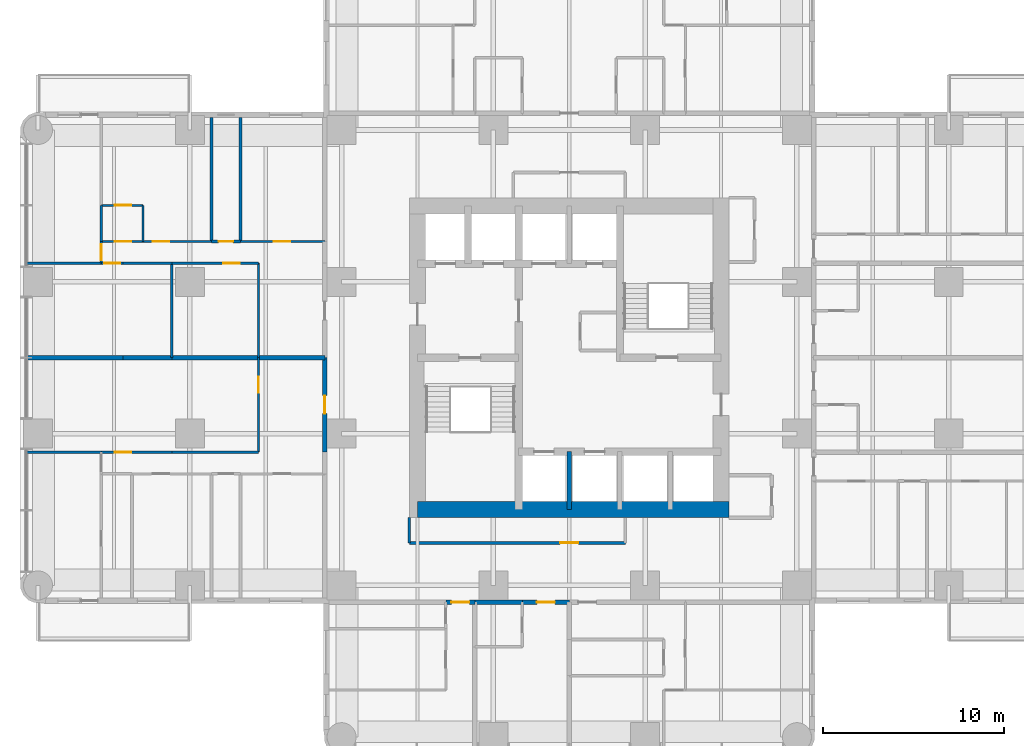
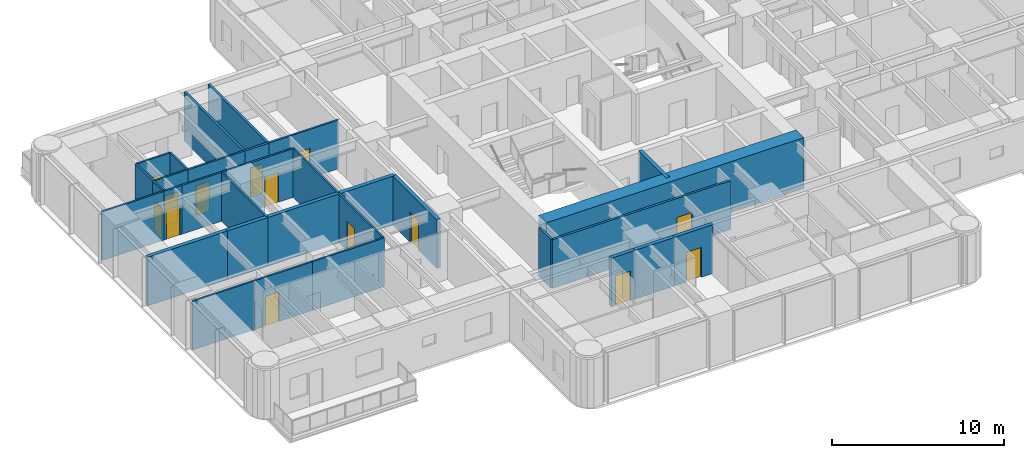
# One storey, part 7 of 14: 32 walls, 14 doors, 14 openings.
"""IFC4 building model written with IfcOpenShell, lengths in metres."""

from ifc_helpers import new_model, si_unit, direction, frame, frame_2d, origin, place, context, subcontext, project, spatial, rectangle, extrude, material, layer, layer_set, type_object, element, fill, save


model = new_model("IFC4")

# Units and contexts
model_context = context("Model", 3, precision=1e-05, world=origin(), true_north=direction((0.0, 1.0)))
body_context = subcontext(model_context, "Body", "Model", "MODEL_VIEW")
ifc_project = project(units=[si_unit("LENGTHUNIT", "METRE"), si_unit("AREAUNIT", "SQUARE_METRE"), si_unit("VOLUMEUNIT", "CUBIC_METRE"), si_unit("PLANEANGLEUNIT", "RADIAN"), si_unit("MASSUNIT", "GRAM", prefix="KILO")], contexts=[model_context])

# Site, building, storey
site_placement = place(None, origin())
site = spatial("IfcSite", under=ifc_project, at=site_placement, CompositionType="ELEMENT")
building_placement = place(site_placement, origin())
building = spatial("IfcBuilding", under=site, at=building_placement, Name="Torre Alcanfor", CompositionType="ELEMENT")
storey_placement = place(building_placement, frame((0.0, 0.0, 166.5)))
storey = spatial("IfcBuildingStorey", under=building, at=storey_placement, Name="L43", CompositionType="ELEMENT", Elevation=166.5)

# Wall, opening, door
ifc_material_1 = material(Name="Concrete block masonry, hollow blocks NMX-C-404 9 MPa", Category="masonry")
ifc_layer_1 = layer(ifc_material_1, 0.25)
ifc_layer_set_1 = layer_set([ifc_layer_1], Name="Apartment entrance wall 250 EI 60")
wall_type_1 = type_object("IfcWallType", Name="Apartment entrance wall 250 EI 60", PredefinedType="PARTITIONING", material=ifc_layer_set_1)
wall_1_placement = place(storey_placement, frame((29.39990234375, 15.875, 0.0), z_axis=(0.0, 0.0, 1.0), x_axis=(-1.0, 0.0, 0.0)))
wall_1 = element("IfcWall", 1, at=wall_1_placement, inside=storey, type_object=wall_type_1, Name="Partition L43-CORR / L43-S2A-STUDIO", PredefinedType="PARTITIONING", context=body_context, shape_type="SweptSolid", body=[
    extrude(rectangle(XDim=2.599853515625, YDim=0.25, at=frame_2d((1.2998046875, 0.0))), origin(), (0.0, 0.0, 1.0), 3.449951171875),
])
opening_1_placement = place(wall_1_placement, frame((0.800048828125, 0.0, 0.0)))
opening_1 = element("IfcOpeningElement", 2, at=opening_1_placement, cuts=wall_1, Name="Opening D-A1", PredefinedType="OPENING", context=body_context, shape_type="SweptSolid", body=[
    extrude(rectangle(XDim=1.0, YDim=2.10009765625, at=frame_2d((0.5, 1.050048828125))), frame((0.0, 0.135009765625, 0.0), z_axis=(0.0, -1.0, 0.0), x_axis=(1.0, 0.0, 0.0)), (0.0, 0.0, 1.0), 0.27001953125),
])
ifc_material_2 = material(Name="Galvanised steel sheet ASTM A653", Category="steel")
door_type_1 = type_object("IfcDoorType", Name="Apartment entrance door FD60 1000x2100", OperationType="SINGLE_SWING_LEFT", PredefinedType="DOOR", material=ifc_material_2)
door_1_placement = place(opening_1_placement, origin())
door_1 = element("IfcDoor", 3, at=door_1_placement, inside=storey, type_object=door_type_1, Name="Apartment entrance L43-S2A", OperationType="SINGLE_SWING_LEFT", OverallHeight=2.10009765625, OverallWidth=1.0, PredefinedType="DOOR", context=body_context, shape_type="SweptSolid", body=[
    extrude(rectangle(XDim=1.0, YDim=2.10009765625, at=frame_2d((0.5, 1.050048828125))), frame((0.0, 0.02490234375, 0.0), z_axis=(0.0, -1.0, 0.0), x_axis=(1.0, 0.0, 0.0)), (0.0, 0.0, 1.0), 0.050048828125),
])
fill(opening_1, door_1)

# Wall
wall_2_placement = place(storey_placement, frame((26.800048828125, 15.875, 0.0), z_axis=(0.0, 0.0, 1.0), x_axis=(-1.0, 0.0, 0.0)))
element("IfcWall", 4, at=wall_2_placement, inside=storey, type_object=wall_type_1, Name="Partition L43-CORR / L43-S2A-BATH", PredefinedType="PARTITIONING", context=body_context, shape_type="SweptSolid", body=[
    extrude(rectangle(XDim=2.629150390625, YDim=0.25, at=frame_2d((1.314453125, 0.0))), origin(), (0.0, 0.0, 1.0), 3.449951171875),
])

# Wall, opening, door
wall_3_placement = place(storey_placement, frame((24.1708984375, 15.875, 0.0), z_axis=(0.0, 0.0, 1.0), x_axis=(-1.0, 0.0, 0.0)))
wall_3 = element("IfcWall", 5, at=wall_3_placement, inside=storey, type_object=wall_type_1, Name="Partition L43-CORR / L43-S2B-LIVING", PredefinedType="PARTITIONING", context=body_context, shape_type="SweptSolid", body=[
    extrude(rectangle(XDim=1.599853515625, YDim=0.25, at=frame_2d((0.7998046875, 0.0))), origin(), (0.0, 0.0, 1.0), 3.449951171875),
])
opening_2_placement = place(wall_3_placement, frame((0.300048828125, 0.0, 0.0)))
opening_2 = element("IfcOpeningElement", 6, at=opening_2_placement, cuts=wall_3, Name="Opening D-A1", PredefinedType="OPENING", context=body_context, shape_type="SweptSolid", body=[
    extrude(rectangle(XDim=1.0, YDim=2.10009765625, at=frame_2d((0.5, 1.050048828125))), frame((0.0, 0.135009765625, 0.0), z_axis=(0.0, -1.0, 0.0), x_axis=(1.0, 0.0, 0.0)), (0.0, 0.0, 1.0), 0.27001953125),
])
door_2_placement = place(opening_2_placement, origin())
door_2 = element("IfcDoor", 7, at=door_2_placement, inside=storey, type_object=door_type_1, Name="Apartment entrance L43-S2B", OperationType="SINGLE_SWING_LEFT", OverallHeight=2.10009765625, OverallWidth=1.0, PredefinedType="DOOR", context=body_context, shape_type="SweptSolid", body=[
    extrude(rectangle(XDim=1.0, YDim=2.10009765625, at=frame_2d((0.5, 1.050048828125))), frame((0.0, 0.02490234375, 0.0), z_axis=(0.0, -1.0, 0.0), x_axis=(1.0, 0.0, 0.0)), (0.0, 0.0, 1.0), 0.050048828125),
])
fill(opening_2, door_2)

wall_4_placement = place(storey_placement, frame((15.875, 24.1708984375, 0.0), z_axis=(0.0, 0.0, 1.0), x_axis=(0.0, 1.0, 0.0)))
wall_4 = element("IfcWall", 8, at=wall_4_placement, inside=storey, type_object=wall_type_1, Name="Partition L43-CORR / L43-W1-ZAG", PredefinedType="PARTITIONING", context=body_context, shape_type="SweptSolid", body=[
    extrude(rectangle(XDim=5.22900390625, YDim=0.25, at=frame_2d((2.614501953125, 0.0))), origin(), (0.0, 0.0, 1.0), 3.449951171875),
])
opening_3_placement = place(wall_4_placement, frame((2.12890625, 0.0, 0.0)))
opening_3 = element("IfcOpeningElement", 9, at=opening_3_placement, cuts=wall_4, Name="Opening D-A1", PredefinedType="OPENING", context=body_context, shape_type="SweptSolid", body=[
    extrude(rectangle(XDim=1.0, YDim=2.10009765625, at=frame_2d((0.5, 1.050048828125))), frame((0.0, 0.135009765625, 0.0), z_axis=(0.0, -1.0, 0.0), x_axis=(1.0, 0.0, 0.0)), (0.0, 0.0, 1.0), 0.27001953125),
])
door_3_placement = place(opening_3_placement, origin())
door_3 = element("IfcDoor", 10, at=door_3_placement, inside=storey, type_object=door_type_1, Name="Apartment entrance L43-W1", OperationType="SINGLE_SWING_RIGHT", OverallHeight=2.10009765625, OverallWidth=1.0, PredefinedType="DOOR", context=body_context, shape_type="SweptSolid", body=[
    extrude(rectangle(XDim=1.0, YDim=2.10009765625, at=frame_2d((0.5, 1.050048828125))), frame((0.0, 0.02490234375, 0.0), z_axis=(0.0, -1.0, 0.0), x_axis=(1.0, 0.0, 0.0)), (0.0, 0.0, 1.0), 0.050048828125),
])
fill(opening_3, door_3)

ifc_material_3 = material(Name="Gypsum board on steel studs", Category="steel")
ifc_layer_2 = layer(ifc_material_3, 0.1201171875)
ifc_layer_set_2 = layer_set([ifc_layer_2], Name="Apartment partition 120")
wall_type_2 = type_object("IfcWallType", Name="Apartment partition 120", PredefinedType="PARTITIONING", material=ifc_layer_set_2)
wall_5_placement = place(storey_placement, frame((12.199951171875, 29.39990234375, 0.0), z_axis=(0.0, 0.0, 1.0), x_axis=(0.0, -1.0, 0.0)))
wall_5 = element("IfcWall", 11, at=wall_5_placement, inside=storey, type_object=wall_type_2, Name="Partition L43-W1-ZAG / L43-W1-KITCHEN", PredefinedType="PARTITIONING", context=body_context, shape_type="SweptSolid", body=[
    extrude(rectangle(XDim=5.22900390625, YDim=0.1201171875, at=frame_2d((2.614501953125, 0.0))), origin(), (0.0, 0.0, 1.0), 3.449951171875),
])
opening_4_placement = place(wall_5_placement, frame((1.050048828125, 0.0, 0.0)))
opening_4 = element("IfcOpeningElement", 12, at=opening_4_placement, cuts=wall_5, Name="Opening D-R1", PredefinedType="OPENING", context=body_context, shape_type="SweptSolid", body=[
    extrude(rectangle(XDim=0.89990234375, YDim=2.10009765625, at=frame_2d((0.449951171875, 1.050048828125))), frame((0.0, 0.070068359375, 0.0), z_axis=(0.0, -1.0, 0.0), x_axis=(1.0, 0.0, 0.0)), (0.0, 0.0, 1.0), 0.14013671875),
])
ifc_material_4 = material(Name="Timber", Category="wood")
door_type_2 = type_object("IfcDoorType", Name="Internal door 900x2100", OperationType="SINGLE_SWING_LEFT", PredefinedType="DOOR", material=ifc_material_4)
door_4_placement = place(opening_4_placement, frame((0.89990234375, 0.0, 0.0), z_axis=(0.0, 0.0, 1.0), x_axis=(-1.0, 0.0, 0.0)))
door_4 = element("IfcDoor", 13, at=door_4_placement, inside=storey, type_object=door_type_2, Name="Door L43-W1 kitchen", OperationType="SINGLE_SWING_RIGHT", OverallHeight=2.10009765625, OverallWidth=0.89990234375, PredefinedType="DOOR", context=body_context, shape_type="SweptSolid", body=[
    extrude(rectangle(XDim=0.89990234375, YDim=2.10009765625, at=frame_2d((0.449951171875, 1.050048828125))), frame((0.0, 0.025146484375, 0.0), z_axis=(0.0, -1.0, 0.0), x_axis=(1.0, 0.0, 0.0)), (0.0, 0.0, 1.0), 0.050048828125),
])
fill(opening_4, door_4)

# Wall
wall_6_placement = place(storey_placement, frame((7.39990234375, 24.1708984375, 0.0), z_axis=(0.0, 0.0, 1.0), x_axis=(1.0, 0.0, 0.0)))
element("IfcWall", 14, at=wall_6_placement, inside=storey, type_object=wall_type_2, Name="Partition L43-W1-KITCHEN / L43-W1-HALL", PredefinedType="PARTITIONING", context=body_context, shape_type="SweptSolid", body=[
    extrude(rectangle(XDim=4.800048828125, YDim=0.1201171875, at=frame_2d((2.39990234375, 0.0))), origin(), (0.0, 0.0, 1.0), 3.449951171875),
])

# Wall, opening, door
wall_7_placement = place(storey_placement, frame((3.5, 24.1708984375, 0.0), z_axis=(0.0, 0.0, 1.0), x_axis=(1.0, 0.0, 0.0)))
wall_7 = element("IfcWall", 15, at=wall_7_placement, inside=storey, type_object=wall_type_2, Name="Partition L43-W1-LIVING / L43-W1-HALL", PredefinedType="PARTITIONING", context=body_context, shape_type="SweptSolid", body=[
    extrude(rectangle(XDim=3.89990234375, YDim=0.1201171875, at=frame_2d((1.949951171875, 0.0))), origin(), (0.0, 0.0, 1.0), 3.449951171875),
])
opening_5_placement = place(wall_7_placement, frame((0.75, 0.0, 0.0)))
opening_5 = element("IfcOpeningElement", 16, at=opening_5_placement, cuts=wall_7, Name="Opening D-R1", PredefinedType="OPENING", context=body_context, shape_type="SweptSolid", body=[
    extrude(rectangle(XDim=0.89990234375, YDim=2.10009765625, at=frame_2d((0.449951171875, 1.050048828125))), frame((0.0, 0.070068359375, 0.0), z_axis=(0.0, -1.0, 0.0), x_axis=(1.0, 0.0, 0.0)), (0.0, 0.0, 1.0), 0.14013671875),
])
door_5_placement = place(opening_5_placement, origin())
door_5 = element("IfcDoor", 17, at=door_5_placement, inside=storey, type_object=door_type_2, Name="Door L43-W1 living", OperationType="SINGLE_SWING_RIGHT", OverallHeight=2.10009765625, OverallWidth=0.89990234375, PredefinedType="DOOR", context=body_context, shape_type="SweptSolid", body=[
    extrude(rectangle(XDim=0.89990234375, YDim=2.10009765625, at=frame_2d((0.449951171875, 1.050048828125))), frame((0.0, 0.02490234375, 0.0), z_axis=(0.0, -1.0, 0.0), x_axis=(1.0, 0.0, 0.0)), (0.0, 0.0, 1.0), 0.050048828125),
])
fill(opening_5, door_5)

# Walls
wall_8_placement = place(storey_placement, frame((-0.64990234375, 24.1708984375, 0.0), z_axis=(0.0, 0.0, 1.0), x_axis=(1.0, 0.0, 0.0)))
element("IfcWall", 18, at=wall_8_placement, inside=storey, type_object=wall_type_2, Name="Partition L43-W1-LIVING / L43-W1-MASTER", PredefinedType="PARTITIONING", context=body_context, shape_type="SweptSolid", body=[
    extrude(rectangle(XDim=4.14990234375, YDim=0.1201171875, at=frame_2d((2.074951171875, 0.0))), origin(), (0.0, 0.0, 1.0), 3.449951171875),
])
for number, where, z_axis, x_axis, name in (
    (19, (12.199951171875, 29.39990234375, 0.0), (0.0, 0.0, 1.0), (0.0, 1.0, 0.0), "Partition L43-W2-ZAG / L43-W2-FAMILY"),
    (20, (7.39990234375, 29.39990234375, 0.0), (0.0, 0.0, 1.0), (0.0, 1.0, 0.0), "Partition L43-W2-FAMILY / L43-W2-KITCHEN"),
):
    element("IfcWall", number, at=place(storey_placement, frame(where, z_axis=z_axis, x_axis=x_axis)), inside=storey, type_object=wall_type_2, Name=name, PredefinedType="PARTITIONING", context=body_context, shape_type="SweptSolid", body=[
        extrude(rectangle(XDim=5.22900390625, YDim=0.1201171875, at=frame_2d((2.614501953125, 0.0))), origin(), (0.0, 0.0, 1.0), 3.449951171875),
    ])

# Wall, opening, door
wall_9_placement = place(storey_placement, frame((7.39990234375, 34.62890625, 0.0), z_axis=(0.0, 0.0, 1.0), x_axis=(1.0, 0.0, 0.0)))
wall_9 = element("IfcWall", 21, at=wall_9_placement, inside=storey, type_object=wall_type_2, Name="Partition L43-W2-FAMILY / L43-W2-HALL", PredefinedType="PARTITIONING", context=body_context, shape_type="SweptSolid", body=[
    extrude(rectangle(XDim=4.800048828125, YDim=0.1201171875, at=frame_2d((2.39990234375, 0.0))), origin(), (0.0, 0.0, 1.0), 3.449951171875),
])
opening_6_placement = place(wall_9_placement, frame((2.85009765625, 0.0, 0.0)))
opening_6 = element("IfcOpeningElement", 22, at=opening_6_placement, cuts=wall_9, Name="Opening D-R1", PredefinedType="OPENING", context=body_context, shape_type="SweptSolid", body=[
    extrude(rectangle(XDim=0.89990234375, YDim=2.10009765625, at=frame_2d((0.449951171875, 1.050048828125))), frame((0.0, 0.070068359375, 0.0), z_axis=(0.0, -1.0, 0.0), x_axis=(1.0, 0.0, 0.0)), (0.0, 0.0, 1.0), 0.14013671875),
])
door_6_placement = place(opening_6_placement, frame((0.89990234375, 0.0, 0.0), z_axis=(0.0, 0.0, 1.0), x_axis=(-1.0, 0.0, 0.0)))
door_6 = element("IfcDoor", 23, at=door_6_placement, inside=storey, type_object=door_type_2, Name="Door L43-W2 family", OperationType="SINGLE_SWING_LEFT", OverallHeight=2.10009765625, OverallWidth=0.89990234375, PredefinedType="DOOR", context=body_context, shape_type="SweptSolid", body=[
    extrude(rectangle(XDim=0.89990234375, YDim=2.10009765625, at=frame_2d((0.449951171875, 1.050048828125))), frame((0.0, 0.025146484375, 0.0), z_axis=(0.0, -1.0, 0.0), x_axis=(1.0, 0.0, 0.0)), (0.0, 0.0, 1.0), 0.050048828125),
])
fill(opening_6, door_6)

# Wall
wall_10_placement = place(storey_placement, frame((4.699951171875, 34.62890625, 0.0), z_axis=(0.0, 0.0, 1.0), x_axis=(1.0, 0.0, 0.0)))
element("IfcWall", 24, at=wall_10_placement, inside=storey, type_object=wall_type_2, Name="Partition L43-W2-KITCHEN / L43-W2-HALL", PredefinedType="PARTITIONING", context=body_context, shape_type="SweptSolid", body=[
    extrude(rectangle(XDim=2.699951171875, YDim=0.1201171875, at=frame_2d((1.35009765625, 0.0))), origin(), (0.0, 0.0, 1.0), 3.449951171875),
])

# Wall, opening, door
wall_11_placement = place(storey_placement, frame((3.5, 34.62890625, 0.0), z_axis=(0.0, 0.0, 1.0), x_axis=(1.0, 0.0, 0.0)))
wall_11 = element("IfcWall", 25, at=wall_11_placement, inside=storey, type_object=wall_type_2, Name="Partition L43-W2-LIVING / L43-W2-HALL", PredefinedType="PARTITIONING", context=body_context, shape_type="SweptSolid", body=[
    extrude(rectangle(XDim=1.199951171875, YDim=0.1201171875, at=frame_2d((0.60009765625, 0.0))), origin(), (0.0, 0.0, 1.0), 3.449951171875),
])
opening_7_placement = place(wall_11_placement, frame((0.14990234375, 0.0, 0.0)))
opening_7 = element("IfcOpeningElement", 26, at=opening_7_placement, cuts=wall_11, Name="Opening D-R1", PredefinedType="OPENING", context=body_context, shape_type="SweptSolid", body=[
    extrude(rectangle(XDim=0.89990234375, YDim=2.10009765625, at=frame_2d((0.449951171875, 1.050048828125))), frame((0.0, 0.070068359375, 0.0), z_axis=(0.0, -1.0, 0.0), x_axis=(1.0, 0.0, 0.0)), (0.0, 0.0, 1.0), 0.14013671875),
])
door_7_placement = place(opening_7_placement, frame((0.89990234375, 0.0, 0.0), z_axis=(0.0, 0.0, 1.0), x_axis=(-1.0, 0.0, 0.0)))
door_7 = element("IfcDoor", 27, at=door_7_placement, inside=storey, type_object=door_type_2, Name="Door L43-W2 living", OperationType="SINGLE_SWING_LEFT", OverallHeight=2.10009765625, OverallWidth=0.89990234375, PredefinedType="DOOR", context=body_context, shape_type="SweptSolid", body=[
    extrude(rectangle(XDim=0.89990234375, YDim=2.10009765625, at=frame_2d((0.449951171875, 1.050048828125))), frame((0.0, 0.025146484375, 0.0), z_axis=(0.0, -1.0, 0.0), x_axis=(1.0, 0.0, 0.0)), (0.0, 0.0, 1.0), 0.050048828125),
])
fill(opening_7, door_7)

# Wall
wall_12_placement = place(storey_placement, frame((-0.64990234375, 34.62890625, 0.0), z_axis=(0.0, 0.0, 1.0), x_axis=(1.0, 0.0, 0.0)))
element("IfcWall", 28, at=wall_12_placement, inside=storey, type_object=wall_type_2, Name="Partition L43-W2-LIVING / L43-W2-WGARD", PredefinedType="PARTITIONING", context=body_context, shape_type="SweptSolid", body=[
    extrude(rectangle(XDim=4.14990234375, YDim=0.1201171875, at=frame_2d((2.074951171875, 0.0))), origin(), (0.0, 0.0, 1.0), 3.449951171875),
])

# Wall, opening, door
wall_13_placement = place(storey_placement, frame((11.199951171875, 35.8291015625, 0.0), z_axis=(0.0, 0.0, 1.0), x_axis=(1.0, 0.0, 0.0)))
wall_13 = element("IfcWall", 29, at=wall_13_placement, inside=storey, type_object=wall_type_2, Name="Partition L43-W2-HALL / L43-W2-BED2", PredefinedType="PARTITIONING", context=body_context, shape_type="SweptSolid", body=[
    extrude(rectangle(XDim=4.675048828125, YDim=0.1201171875, at=frame_2d((2.33740234375, 0.0))), origin(), (0.0, 0.0, 1.0), 3.449951171875),
])
opening_8_placement = place(wall_13_placement, frame((1.85009765625, 0.0, 0.0)))
opening_8 = element("IfcOpeningElement", 30, at=opening_8_placement, cuts=wall_13, Name="Opening D-R1", PredefinedType="OPENING", context=body_context, shape_type="SweptSolid", body=[
    extrude(rectangle(XDim=0.89990234375, YDim=2.10009765625, at=frame_2d((0.449951171875, 1.050048828125))), frame((0.0, 0.070068359375, 0.0), z_axis=(0.0, -1.0, 0.0), x_axis=(1.0, 0.0, 0.0)), (0.0, 0.0, 1.0), 0.14013671875),
])
door_8_placement = place(opening_8_placement, origin())
door_8 = element("IfcDoor", 31, at=door_8_placement, inside=storey, type_object=door_type_2, Name="Door L43-W2 bed2", OperationType="SINGLE_SWING_LEFT", OverallHeight=2.10009765625, OverallWidth=0.89990234375, PredefinedType="DOOR", context=body_context, shape_type="SweptSolid", body=[
    extrude(rectangle(XDim=0.89990234375, YDim=2.10009765625, at=frame_2d((0.449951171875, 1.050048828125))), frame((0.0, 0.02490234375, 0.0), z_axis=(0.0, -1.0, 0.0), x_axis=(1.0, 0.0, 0.0)), (0.0, 0.0, 1.0), 0.050048828125),
])
fill(opening_8, door_8)

wall_14_placement = place(storey_placement, frame((5.800048828125, 35.8291015625, 0.0), z_axis=(0.0, 0.0, 1.0), x_axis=(1.0, 0.0, 0.0)))
wall_14 = element("IfcWall", 32, at=wall_14_placement, inside=storey, type_object=wall_type_2, Name="Partition L43-W2-HALL / L43-W2-MASTER", PredefinedType="PARTITIONING", context=body_context, shape_type="SweptSolid", body=[
    extrude(rectangle(XDim=3.800048828125, YDim=0.1201171875, at=frame_2d((1.89990234375, 0.0))), origin(), (0.0, 0.0, 1.0), 3.449951171875),
])
opening_9_placement = place(wall_14_placement, frame((0.550048828125, 0.0, 0.0)))
opening_9 = element("IfcOpeningElement", 33, at=opening_9_placement, cuts=wall_14, Name="Opening D-R1", PredefinedType="OPENING", context=body_context, shape_type="SweptSolid", body=[
    extrude(rectangle(XDim=0.89990234375, YDim=2.10009765625, at=frame_2d((0.449951171875, 1.050048828125))), frame((0.0, 0.070068359375, 0.0), z_axis=(0.0, -1.0, 0.0), x_axis=(1.0, 0.0, 0.0)), (0.0, 0.0, 1.0), 0.14013671875),
])
door_9_placement = place(opening_9_placement, origin())
door_9 = element("IfcDoor", 34, at=door_9_placement, inside=storey, type_object=door_type_2, Name="Door L43-W2 master", OperationType="SINGLE_SWING_LEFT", OverallHeight=2.10009765625, OverallWidth=0.89990234375, PredefinedType="DOOR", context=body_context, shape_type="SweptSolid", body=[
    extrude(rectangle(XDim=0.89990234375, YDim=2.10009765625, at=frame_2d((0.449951171875, 1.050048828125))), frame((0.0, 0.02490234375, 0.0), z_axis=(0.0, -1.0, 0.0), x_axis=(1.0, 0.0, 0.0)), (0.0, 0.0, 1.0), 0.050048828125),
])
fill(opening_9, door_9)

wall_15_placement = place(storey_placement, frame((3.5, 35.8291015625, 0.0), z_axis=(0.0, 0.0, 1.0), x_axis=(1.0, 0.0, 0.0)))
wall_15 = element("IfcWall", 35, at=wall_15_placement, inside=storey, type_object=wall_type_2, Name="Partition L43-W2-HALL / L43-W2-VEST", PredefinedType="PARTITIONING", context=body_context, shape_type="SweptSolid", body=[
    extrude(rectangle(XDim=2.300048828125, YDim=0.1201171875, at=frame_2d((1.14990234375, 0.0))), origin(), (0.0, 0.0, 1.0), 3.449951171875),
])
opening_10_placement = place(wall_15_placement, frame((0.75, 0.0, 0.0)))
opening_10 = element("IfcOpeningElement", 36, at=opening_10_placement, cuts=wall_15, Name="Opening D-R1", PredefinedType="OPENING", context=body_context, shape_type="SweptSolid", body=[
    extrude(rectangle(XDim=0.89990234375, YDim=2.10009765625, at=frame_2d((0.449951171875, 1.050048828125))), frame((0.0, 0.070068359375, 0.0), z_axis=(0.0, -1.0, 0.0), x_axis=(1.0, 0.0, 0.0)), (0.0, 0.0, 1.0), 0.14013671875),
])
door_10_placement = place(opening_10_placement, origin())
door_10 = element("IfcDoor", 37, at=door_10_placement, inside=storey, type_object=door_type_2, Name="Door L43-W2 vest", OperationType="SINGLE_SWING_RIGHT", OverallHeight=2.10009765625, OverallWidth=0.89990234375, PredefinedType="DOOR", context=body_context, shape_type="SweptSolid", body=[
    extrude(rectangle(XDim=0.89990234375, YDim=2.10009765625, at=frame_2d((0.449951171875, 1.050048828125))), frame((0.0, 0.02490234375, 0.0), z_axis=(0.0, -1.0, 0.0), x_axis=(1.0, 0.0, 0.0)), (0.0, 0.0, 1.0), 0.050048828125),
])
fill(opening_10, door_10)

wall_16_placement = place(storey_placement, frame((3.5, 34.62890625, 0.0), z_axis=(0.0, 0.0, 1.0), x_axis=(0.0, 1.0, 0.0)))
wall_16 = element("IfcWall", 38, at=wall_16_placement, inside=storey, type_object=wall_type_2, Name="Partition L43-W2-HALL / L43-W2-WGARD", PredefinedType="PARTITIONING", context=body_context, shape_type="SweptSolid", body=[
    extrude(rectangle(XDim=1.2001953125, YDim=0.1201171875, at=frame_2d((0.60009765625, 0.0))), origin(), (0.0, 0.0, 1.0), 3.449951171875),
])
opening_11_placement = place(wall_16_placement, frame((0.15087890625, 0.0, 0.0)))
opening_11 = element("IfcOpeningElement", 39, at=opening_11_placement, cuts=wall_16, Name="Opening D-R1", PredefinedType="OPENING", context=body_context, shape_type="SweptSolid", body=[
    extrude(rectangle(XDim=0.89990234375, YDim=2.10009765625, at=frame_2d((0.449951171875, 1.050048828125))), frame((0.0, 0.070068359375, 0.0), z_axis=(0.0, -1.0, 0.0), x_axis=(1.0, 0.0, 0.0)), (0.0, 0.0, 1.0), 0.14013671875),
])
door_11_placement = place(opening_11_placement, origin())
door_11 = element("IfcDoor", 40, at=door_11_placement, inside=storey, type_object=door_type_2, Name="Door L43-W2 wgard", OperationType="SINGLE_SWING_LEFT", OverallHeight=2.10009765625, OverallWidth=0.89990234375, PredefinedType="DOOR", context=body_context, shape_type="SweptSolid", body=[
    extrude(rectangle(XDim=0.89990234375, YDim=2.10009765625, at=frame_2d((0.449951171875, 1.050048828125))), frame((0.0, 0.02490234375, 0.0), z_axis=(0.0, -1.0, 0.0), x_axis=(1.0, 0.0, 0.0)), (0.0, 0.0, 1.0), 0.050048828125),
])
fill(opening_11, door_11)

# Wall
wall_17_placement = place(storey_placement, frame((5.800048828125, 35.8291015625, 0.0), z_axis=(0.0, 0.0, 1.0), x_axis=(0.0, 1.0, 0.0)))
element("IfcWall", 41, at=wall_17_placement, inside=storey, type_object=wall_type_2, Name="Partition L43-W2-MASTER / L43-W2-VEST", PredefinedType="PARTITIONING", context=body_context, shape_type="SweptSolid", body=[
    extrude(rectangle(XDim=2.0, YDim=0.1201171875, at=frame_2d((1.0, 0.0))), origin(), (0.0, 0.0, 1.0), 3.449951171875),
])

# Wall, opening, door
wall_18_placement = place(storey_placement, frame((5.800048828125, 37.8291015625, 0.0), z_axis=(0.0, 0.0, 1.0), x_axis=(-1.0, 0.0, 0.0)))
wall_18 = element("IfcWall", 42, at=wall_18_placement, inside=storey, type_object=wall_type_2, Name="Partition L43-W2-MASTER / L43-W2-VEST", PredefinedType="PARTITIONING", context=body_context, shape_type="SweptSolid", body=[
    extrude(rectangle(XDim=2.300048828125, YDim=0.1201171875, at=frame_2d((1.14990234375, 0.0))), origin(), (0.0, 0.0, 1.0), 3.449951171875),
])
opening_12_placement = place(wall_18_placement, frame((0.64990234375, 0.0, 0.0)))
opening_12 = element("IfcOpeningElement", 43, at=opening_12_placement, cuts=wall_18, Name="Opening D-R1", PredefinedType="OPENING", context=body_context, shape_type="SweptSolid", body=[
    extrude(rectangle(XDim=0.89990234375, YDim=2.10009765625, at=frame_2d((0.449951171875, 1.050048828125))), frame((0.0, 0.070068359375, 0.0), z_axis=(0.0, -1.0, 0.0), x_axis=(1.0, 0.0, 0.0)), (0.0, 0.0, 1.0), 0.14013671875),
])
door_12_placement = place(opening_12_placement, origin())
door_12 = element("IfcDoor", 44, at=door_12_placement, inside=storey, type_object=door_type_2, Name="Door L43-W2 master", OperationType="SINGLE_SWING_LEFT", OverallHeight=2.10009765625, OverallWidth=0.89990234375, PredefinedType="DOOR", context=body_context, shape_type="SweptSolid", body=[
    extrude(rectangle(XDim=0.89990234375, YDim=2.10009765625, at=frame_2d((0.449951171875, 1.050048828125))), frame((0.0, 0.02490234375, 0.0), z_axis=(0.0, -1.0, 0.0), x_axis=(1.0, 0.0, 0.0)), (0.0, 0.0, 1.0), 0.050048828125),
])
fill(opening_12, door_12)

# Walls
wall_19_placement = place(storey_placement, frame((3.5, 35.8291015625, 0.0), z_axis=(0.0, 0.0, 1.0), x_axis=(0.0, 1.0, 0.0)))
element("IfcWall", 45, at=wall_19_placement, inside=storey, type_object=wall_type_2, Name="Partition L43-W2-VEST / L43-W2-WGARD", PredefinedType="PARTITIONING", context=body_context, shape_type="SweptSolid", body=[
    extrude(rectangle(XDim=2.0, YDim=0.1201171875, at=frame_2d((1.0, 0.0))), origin(), (0.0, 0.0, 1.0), 3.449951171875),
])
ifc_material_5 = material(Name="Concrete f'c 70 MPa", Category="concrete")
ifc_layer_3 = layer(ifc_material_5, 0.25)
ifc_layer_set_3 = layer_set([ifc_layer_3], Name="Core shaft wall 250 f'c70")
wall_type_3 = type_object("IfcWallType", Name="Core shaft wall 250 f'c70", PredefinedType="SHEAR", material=ifc_layer_set_3)
wall_20_placement = place(storey_placement, frame((29.39990234375, 21.0, 0.0), z_axis=(0.0, 0.0, 1.0), x_axis=(0.0, 1.0, 0.0)))
element("IfcWall", 46, at=wall_20_placement, inside=storey, type_object=wall_type_3, Name="Core wall X294S L43", PredefinedType="SHEAR", context=body_context, shape_type="SweptSolid", body=[
    extrude(rectangle(XDim=3.199951171875, YDim=0.25, at=frame_2d((1.60009765625, 0.0))), origin(), (0.0, 0.0, 1.0), 3.60009765625),
])
ifc_material_6 = material(Name="Concrete f'c 70 MPa", Category="concrete")
ifc_layer_4 = layer(ifc_material_6, 0.89990234375)
ifc_layer_set_4 = layer_set([ifc_layer_4], Name="Core wall 900 f'c70")
wall_type_4 = type_object("IfcWallType", Name="Core wall 900 f'c70", PredefinedType="SHEAR", material=ifc_layer_set_4)
wall_21_placement = place(storey_placement, frame((21.0, 21.0, 0.0), z_axis=(0.0, 0.0, 1.0), x_axis=(1.0, 0.0, 0.0)))
element("IfcWall", 47, at=wall_21_placement, inside=storey, type_object=wall_type_4, Name="Core wall OUT-S L43", PredefinedType="SHEAR", context=body_context, shape_type="SweptSolid", body=[
    extrude(rectangle(XDim=17.25, YDim=0.89990234375, at=frame_2d((8.625, 0.0))), origin(), (0.0, 0.0, 1.0), 3.60009765625),
])
ifc_material_7 = material(Name="Concrete block masonry, hollow blocks NMX-C-404 9 MPa", Category="masonry")
ifc_layer_5 = layer(ifc_material_7, 0.25)
ifc_layer_set_5 = layer_set([ifc_layer_5], Name="Party wall 250 EI 60")
wall_type_5 = type_object("IfcWallType", Name="Party wall 250 EI 60", PredefinedType="PARTITIONING", material=ifc_layer_set_5)
wall_22_placement = place(storey_placement, frame((15.875, 29.39990234375, 0.0), z_axis=(0.0, 0.0, 1.0), x_axis=(-1.0, 0.0, 0.0)))
element("IfcWall", 48, at=wall_22_placement, inside=storey, type_object=wall_type_5, Name="Partition L43-W1-ZAG / L43-W2-ZAG", PredefinedType="PARTITIONING", context=body_context, shape_type="SweptSolid", body=[
    extrude(rectangle(XDim=3.675048828125, YDim=0.25, at=frame_2d((1.83740234375, 0.0))), origin(), (0.0, 0.0, 1.0), 3.449951171875),
])
wall_23_placement = place(storey_placement, frame((12.199951171875, 29.39990234375, 0.0), z_axis=(0.0, 0.0, 1.0), x_axis=(-1.0, 0.0, 0.0)))
element("IfcWall", 49, at=wall_23_placement, inside=storey, type_object=wall_type_5, Name="Partition L43-W1-KITCHEN / L43-W2-FAMILY", PredefinedType="PARTITIONING", context=body_context, shape_type="SweptSolid", body=[
    extrude(rectangle(XDim=4.800048828125, YDim=0.25, at=frame_2d((2.39990234375, 0.0))), origin(), (0.0, 0.0, 1.0), 3.449951171875),
])
wall_24_placement = place(storey_placement, frame((7.39990234375, 29.39990234375, 0.0), z_axis=(0.0, 0.0, 1.0), x_axis=(-1.0, 0.0, 0.0)))
element("IfcWall", 50, at=wall_24_placement, inside=storey, type_object=wall_type_5, Name="Partition L43-W1-LIVING / L43-W2-KITCHEN", PredefinedType="PARTITIONING", context=body_context, shape_type="SweptSolid", body=[
    extrude(rectangle(XDim=2.699951171875, YDim=0.25, at=frame_2d((1.35009765625, 0.0))), origin(), (0.0, 0.0, 1.0), 3.449951171875),
])
wall_25_placement = place(storey_placement, frame((4.699951171875, 29.39990234375, 0.0), z_axis=(0.0, 0.0, 1.0), x_axis=(-1.0, 0.0, 0.0)))
element("IfcWall", 51, at=wall_25_placement, inside=storey, type_object=wall_type_5, Name="Partition L43-W1-LIVING / L43-W2-LIVING", PredefinedType="PARTITIONING", context=body_context, shape_type="SweptSolid", body=[
    extrude(rectangle(XDim=5.349853515625, YDim=0.25, at=frame_2d((2.6748046875, 0.0))), origin(), (0.0, 0.0, 1.0), 3.449951171875),
])
ifc_material_8 = material(Name="Concrete block masonry, hollow blocks NMX-C-404 9 MPa", Category="masonry")
ifc_layer_6 = layer(ifc_material_8, 0.14990234375)
ifc_layer_set_6 = layer_set([ifc_layer_6], Name="Residents' room partition 150")
wall_type_6 = type_object("IfcWallType", Name="Residents' room partition 150", PredefinedType="PARTITIONING", material=ifc_layer_set_6)
wall_26_placement = place(storey_placement, frame((20.550048828125, 20.550048828125, 0.0), z_axis=(0.0, 0.0, 1.0), x_axis=(0.0, -1.0, 0.0)))
element("IfcWall", 52, at=wall_26_placement, inside=storey, type_object=wall_type_6, Name="Partition L43-CORR / L43-G04", PredefinedType="PARTITIONING", context=body_context, shape_type="SweptSolid", body=[
    extrude(rectangle(XDim=1.400146484375, YDim=0.14990234375, at=frame_2d((0.7001953125, 0.0))), origin(), (0.0, 0.0, 1.0), 3.449951171875),
])

# Wall, opening, door
wall_27_placement = place(storey_placement, frame((20.550048828125, 19.14990234375, 0.0), z_axis=(0.0, 0.0, 1.0), x_axis=(1.0, 0.0, 0.0)))
wall_27 = element("IfcWall", 53, at=wall_27_placement, inside=storey, type_object=wall_type_6, Name="Partition L43-CORR / L43-G04", PredefinedType="PARTITIONING", context=body_context, shape_type="SweptSolid", body=[
    extrude(rectangle(XDim=11.949951171875, YDim=0.14990234375, at=frame_2d((5.97509765625, 0.0))), origin(), (0.0, 0.0, 1.0), 3.449951171875),
])
opening_13_placement = place(wall_27_placement, frame((8.35009765625, 0.0, 0.0)))
opening_13 = element("IfcOpeningElement", 54, at=opening_13_placement, cuts=wall_27, Name="Opening D-M1", PredefinedType="OPENING", context=body_context, shape_type="SweptSolid", body=[
    extrude(rectangle(XDim=1.0, YDim=2.10009765625, at=frame_2d((0.5, 1.050048828125))), frame((0.0, 0.0849609375, 0.0), z_axis=(0.0, -1.0, 0.0), x_axis=(1.0, 0.0, 0.0)), (0.0, 0.0, 1.0), 0.169921875),
])
ifc_material_9 = material(Name="Timber", Category="wood")
door_type_3 = type_object("IfcDoorType", Name="Residents' room door 1000x2100", OperationType="SINGLE_SWING_LEFT", PredefinedType="DOOR", material=ifc_material_9)
door_13_placement = place(opening_13_placement, origin())
door_13 = element("IfcDoor", 55, at=door_13_placement, inside=storey, type_object=door_type_3, Name="Door L43-G04 pram and buggy store", OperationType="SINGLE_SWING_RIGHT", OverallHeight=2.10009765625, OverallWidth=1.0, PredefinedType="DOOR", context=body_context, shape_type="SweptSolid", body=[
    extrude(rectangle(XDim=1.0, YDim=2.10009765625, at=frame_2d((0.5, 1.050048828125))), frame((0.0, 0.02490234375, 0.0), z_axis=(0.0, -1.0, 0.0), x_axis=(1.0, 0.0, 0.0)), (0.0, 0.0, 1.0), 0.050048828125),
])
fill(opening_13, door_13)

ifc_material_10 = material(Name="Cement board on steel studs", Category="steel")
ifc_layer_7 = layer(ifc_material_10, 0.14990234375)
ifc_layer_set_7 = layer_set([ifc_layer_7], Name="Wet area partition 150")
wall_type_7 = type_object("IfcWallType", Name="Wet area partition 150", PredefinedType="PARTITIONING", material=ifc_layer_set_7)
wall_28_placement = place(storey_placement, frame((9.60009765625, 35.8291015625, 0.0), z_axis=(0.0, 0.0, 1.0), x_axis=(1.0, 0.0, 0.0)))
wall_28 = element("IfcWall", 56, at=wall_28_placement, inside=storey, type_object=wall_type_7, Name="Partition L43-W2-HALL / L43-W2-BATH1", PredefinedType="PARTITIONING", context=body_context, shape_type="SweptSolid", body=[
    extrude(rectangle(XDim=1.599853515625, YDim=0.14990234375, at=frame_2d((0.7998046875, 0.0))), origin(), (0.0, 0.0, 1.0), 3.449951171875),
])
opening_14_placement = place(wall_28_placement, frame((0.39990234375, 0.0, 0.0)))
opening_14 = element("IfcOpeningElement", 57, at=opening_14_placement, cuts=wall_28, Name="Opening D-R2", PredefinedType="OPENING", context=body_context, shape_type="SweptSolid", body=[
    extrude(rectangle(XDim=0.800048828125, YDim=2.10009765625, at=frame_2d((0.39990234375, 1.050048828125))), frame((0.0, 0.0849609375, 0.0), z_axis=(0.0, -1.0, 0.0), x_axis=(1.0, 0.0, 0.0)), (0.0, 0.0, 1.0), 0.169921875),
])
ifc_material_11 = material(Name="Timber", Category="wood")
door_type_4 = type_object("IfcDoorType", Name="Bathroom door 800x2100", OperationType="SINGLE_SWING_LEFT", PredefinedType="DOOR", material=ifc_material_11)
door_14_placement = place(opening_14_placement, origin())
door_14 = element("IfcDoor", 58, at=door_14_placement, inside=storey, type_object=door_type_4, Name="Door L43-W2 bath1", OperationType="SINGLE_SWING_LEFT", OverallHeight=2.10009765625, OverallWidth=0.800048828125, PredefinedType="DOOR", context=body_context, shape_type="SweptSolid", body=[
    extrude(rectangle(XDim=0.800048828125, YDim=2.10009765625, at=frame_2d((0.39990234375, 1.050048828125))), frame((0.0, 0.02490234375, 0.0), z_axis=(0.0, -1.0, 0.0), x_axis=(1.0, 0.0, 0.0)), (0.0, 0.0, 1.0), 0.050048828125),
])
fill(opening_14, door_14)

# Walls
for number, where, z_axis, x_axis, name in (
    (59, (11.199951171875, 35.8291015625, 0.0), (0.0, 0.0, 1.0), (0.0, 1.0, 0.0), "Partition L43-W2-BED2 / L43-W2-BATH1"),
    (60, (9.60009765625, 35.8291015625, 0.0), (0.0, 0.0, 1.0), (0.0, 1.0, 0.0), "Partition L43-W2-BATH1 / L43-W2-MASTER"),
):
    element("IfcWall", number, at=place(storey_placement, frame(where, z_axis=z_axis, x_axis=x_axis)), inside=storey, type_object=wall_type_7, Name=name, PredefinedType="PARTITIONING", context=body_context, shape_type="SweptSolid", body=[
        extrude(rectangle(XDim=6.870849609375, YDim=0.14990234375, at=frame_2d((3.435546875, 0.0))), origin(), (0.0, 0.0, 1.0), 3.449951171875),
    ])

save(model, "model.ifc")
